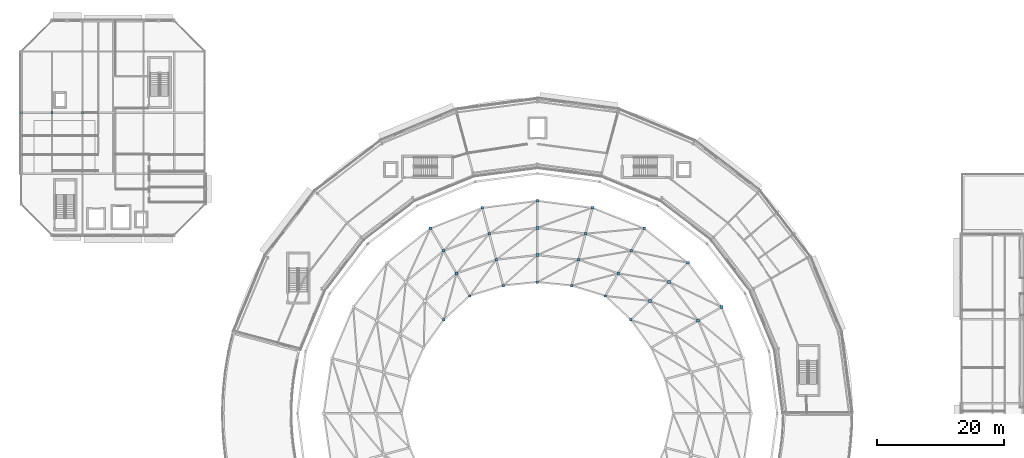
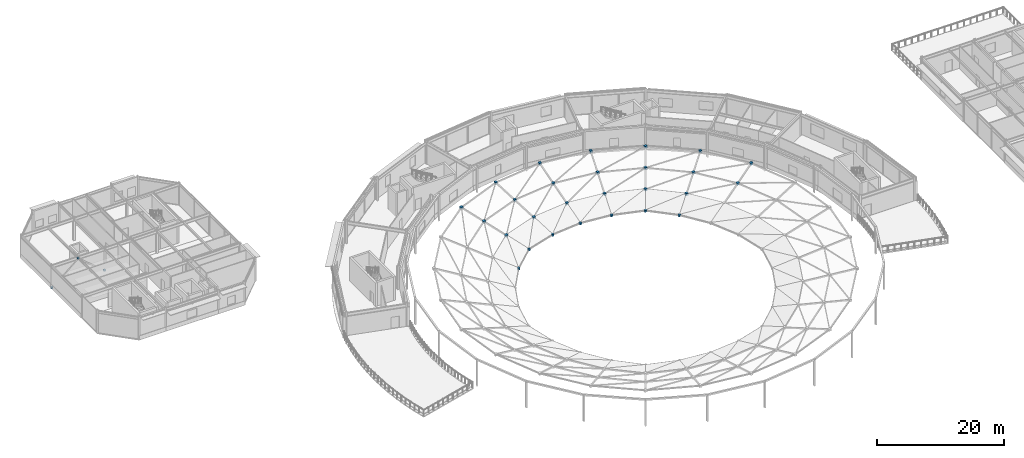
# One storey, part 58 of 89: 30 plates.
"""IFC4 building model written with IfcOpenShell, lengths in metres."""

from ifc_helpers import new_model, si_unit, direction, frame, origin, origin_2d, place, context, subcontext, project, spatial, rectangle, extrude, material, layer, layer_set, type_object, element, save


model = new_model("IFC4")

# Units and contexts
model_context = context("Model", 3, precision=1e-05, world=origin(), true_north=direction((0.0, 1.0)))
body_context = subcontext(model_context, "Body", "Model", "MODEL_VIEW")
ifc_project = project(units=[si_unit("LENGTHUNIT", "METRE"), si_unit("AREAUNIT", "SQUARE_METRE"), si_unit("VOLUMEUNIT", "CUBIC_METRE"), si_unit("PLANEANGLEUNIT", "RADIAN"), si_unit("MASSUNIT", "GRAM", prefix="KILO")], contexts=[model_context])

# Site, building, storey
site_placement = place(None, origin())
site = spatial("IfcSite", under=ifc_project, at=site_placement, CompositionType="ELEMENT")
building_placement = place(site_placement, origin())
building = spatial("IfcBuilding", under=site, at=building_placement, Name="Almandine Court Research Institute", CompositionType="ELEMENT")
storey_placement = place(building_placement, frame((0.0, 0.0, 18.89990234375)))
storey = spatial("IfcBuildingStorey", under=building, at=storey_placement, Name="L04", CompositionType="ELEMENT", Elevation=18.89990234375)

# Plates
ifc_material = material(Name="Steel ASTM A36", Category="steel")
ifc_layer_1 = layer(ifc_material, 0.419921875)
ifc_layer_set_1 = layer_set([ifc_layer_1], Name="Steel ASTM A36")
plate_type_1 = type_object("IfcPlateType", Name="Plate-NP-01", PredefinedType="SHEET", material=ifc_layer_set_1)
for number, where, z_axis, x_axis, name in (
    (1, (115.912109375, 72.69189453125, 3.783203125), (0.0, 0.0, 1.0), (1.0, 0.0, 0.0), "Atrium Conical Gridshell Welded Star Node R1-S02"),
    (2, (112.218017578125, 70.56005859375, 2.526123046875), (0.0, 0.0, 1.0), (1.0, 0.0, 0.0), "Atrium Conical Gridshell Welded Star Node R2-S02"),
    (3, (110.634033203125, 79.634033203125, 3.783203125), (0.0, 0.0, 1.0), (1.0, 0.0, 0.0), "Atrium Conical Gridshell Welded Star Node R1-S03"),
    (4, (107.64599609375, 76.64599609375, 2.526123046875), (0.0, 0.0, 1.0), (1.0, 0.0, 0.0), "Atrium Conical Gridshell Welded Star Node R2-S03"),
    (5, (104.657958984375, 73.657958984375, 1.26904296875), (0.0, 0.0, 1.0), (1.0, 0.0, 0.0), "Atrium Conical Gridshell Welded Star Node R3-S03"),
    (6, (103.779052734375, 85.06103515625, 3.783203125), (0.0, 0.0, 1.0), (1.0, 0.0, 0.0), "Atrium Conical Gridshell Welded Star Node R1-S04"),
    (7, (101.73193359375, 81.51708984375, 2.526123046875), (0.0, 0.0, 1.0), (1.0, 0.0, 0.0), "Atrium Conical Gridshell Welded Star Node R2-S04"),
    (8, (99.68603515625, 77.971923828125, 1.26904296875), (0.0, 0.0, 1.0), (1.0, 0.0, 0.0), "Atrium Conical Gridshell Welded Star Node R3-S04"),
    (9, (95.65087890625, 88.284912109375, 3.783203125), (0.0, 0.0, 1.0), (1.0, 0.0, 0.0), "Atrium Conical Gridshell Welded Star Node R1-S05"),
    (10, (94.556884765625, 84.202880859375, 2.526123046875), (0.0, 0.0, 1.0), (1.0, 0.0, 0.0), "Atrium Conical Gridshell Welded Star Node R2-S05"),
    (11, (93.462890625, 80.1220703125, 1.26904296875), (0.0, 0.0, 1.0), (1.0, 0.0, 0.0), "Atrium Conical Gridshell Welded Star Node R3-S05"),
    (12, (87.0, 89.385009765625, 3.783203125), (0.0, 0.0, 1.0), (1.0, 0.0, 0.0), "Atrium Conical Gridshell Welded Star Node R1-S06"),
    (13, (87.0, 85.1201171875, 2.526123046875), (0.0, 0.0, 1.0), (1.0, 0.0, 0.0), "Atrium Conical Gridshell Welded Star Node R2-S06"),
    (14, (87.0, 80.85498046875, 1.26904296875), (0.0, 0.0, 1.0), (1.0, 0.0, 0.0), "Atrium Conical Gridshell Welded Star Node R3-S06"),
    (15, (78.34912109375, 88.284912109375, 3.783203125), (0.0, 0.0, 1.0), (1.0, 0.0, 0.0), "Atrium Conical Gridshell Welded Star Node R1-S07"),
    (16, (79.443115234375, 84.202880859375, 2.526123046875), (0.0, 0.0, 1.0), (1.0, 0.0, 0.0), "Atrium Conical Gridshell Welded Star Node R2-S07"),
    (17, (80.537109375, 80.1220703125, 1.26904296875), (0.0, 0.0, 1.0), (1.0, 0.0, 0.0), "Atrium Conical Gridshell Welded Star Node R3-S07"),
    (18, (70.220947265625, 85.06103515625, 3.783203125), (0.0, 0.0, 1.0), (1.0, 0.0, 0.0), "Atrium Conical Gridshell Welded Star Node R1-S08"),
    (19, (72.26806640625, 81.51708984375, 2.526123046875), (0.0, 0.0, 1.0), (1.0, 0.0, 0.0), "Atrium Conical Gridshell Welded Star Node R2-S08"),
    (20, (74.31396484375, 77.971923828125, 1.26904296875), (0.0, 0.0, 1.0), (1.0, 0.0, 0.0), "Atrium Conical Gridshell Welded Star Node R3-S08"),
):
    element("IfcPlate", number, at=place(storey_placement, frame(where, z_axis=z_axis, x_axis=x_axis)), inside=storey, type_object=plate_type_1, Name=name, PredefinedType="SHEET", context=body_context, shape_type="SweptSolid", body=[
        extrude(rectangle(XDim=0.43994140625, YDim=0.43994140625, at=origin_2d()), origin(), (0.0, 0.0, 1.0), 0.419921875),
    ])
ifc_layer_2 = layer(ifc_material, 0.3798828125)
ifc_layer_set_2 = layer_set([ifc_layer_2], Name="Steel ASTM A36")
plate_type_2 = type_object("IfcPlateType", Name="Plate-NP-02", PredefinedType="SHEET", material=ifc_layer_set_2)
for number, where, z_axis, x_axis, name in (
    (21, (101.669921875, 70.669921875, 0.03125), (0.0, 0.0, 1.0), (1.0, 0.0, 0.0), "Atrium Conical Gridshell Welded Star Node R4-S03"),
    (22, (97.638916015625, 74.427978515625, 0.03125), (0.0, 0.0, 1.0), (1.0, 0.0, 0.0), "Atrium Conical Gridshell Welded Star Node R4-S04"),
    (23, (92.3701171875, 76.0400390625, 0.03125), (0.0, 0.0, 1.0), (1.0, 0.0, 0.0), "Atrium Conical Gridshell Welded Star Node R4-S05"),
    (24, (87.0, 76.590087890625, 0.03125), (0.0, 0.0, 1.0), (1.0, 0.0, 0.0), "Atrium Conical Gridshell Welded Star Node R4-S06"),
    (25, (81.6298828125, 76.0400390625, 0.03125), (0.0, 0.0, 1.0), (1.0, 0.0, 0.0), "Atrium Conical Gridshell Welded Star Node R4-S07"),
    (26, (76.361083984375, 74.427978515625, 0.03125), (0.0, 0.0, 1.0), (1.0, 0.0, 0.0), "Atrium Conical Gridshell Welded Star Node R4-S08"),
    (27, (72.330078125, 70.669921875, 0.03125), (0.0, 0.0, 1.0), (1.0, 0.0, 0.0), "Atrium Conical Gridshell Welded Star Node R4-S09"),
):
    element("IfcPlate", number, at=place(storey_placement, frame(where, z_axis=z_axis, x_axis=x_axis)), inside=storey, type_object=plate_type_2, Name=name, PredefinedType="SHEET", context=body_context, shape_type="SweptSolid", body=[
        extrude(rectangle(XDim=0.3798828125, YDim=0.3798828125, at=origin_2d()), origin(), (0.0, 0.0, 1.0), 0.3798828125),
    ])
ifc_layer_3 = layer(ifc_material, 0.280029296875)
ifc_layer_set_3 = layer_set([ifc_layer_3], Name="Steel ASTM A36")
plate_type_3 = type_object("IfcPlateType", Name="Plate-NPI-03", PredefinedType="SHEET", material=ifc_layer_set_3)
for number, where, z_axis, x_axis, name in (
    (28, (6.0, 103.199951171875, -0.1201171875), (0.0, 0.0, 1.0), (1.0, 0.0, 0.0), "L04 Seismic Brace Gusset Cap Plate V3-BF1-BL"),
    (29, (15.60009765625, 103.199951171875, -0.1201171875), (0.0, 0.0, 1.0), (1.0, 0.0, 0.0), "L04 Seismic Brace Gusset Cap Plate V3-BF1-BR"),
    (30, (10.800048828125, 103.199951171875, 3.91015625), (0.0, 0.0, 1.0), (1.0, 0.0, 0.0), "L04 Seismic Brace Gusset Cap Plate V3-BF1-AP"),
):
    element("IfcPlate", number, at=place(storey_placement, frame(where, z_axis=z_axis, x_axis=x_axis)), inside=storey, type_object=plate_type_3, Name=name, PredefinedType="SHEET", context=body_context, shape_type="SweptSolid", body=[
        extrude(rectangle(XDim=0.340087890625, YDim=0.340087890625, at=origin_2d()), origin(), (0.0, 0.0, 1.0), 0.280029296875),
    ])

save(model, "model.ifc")
